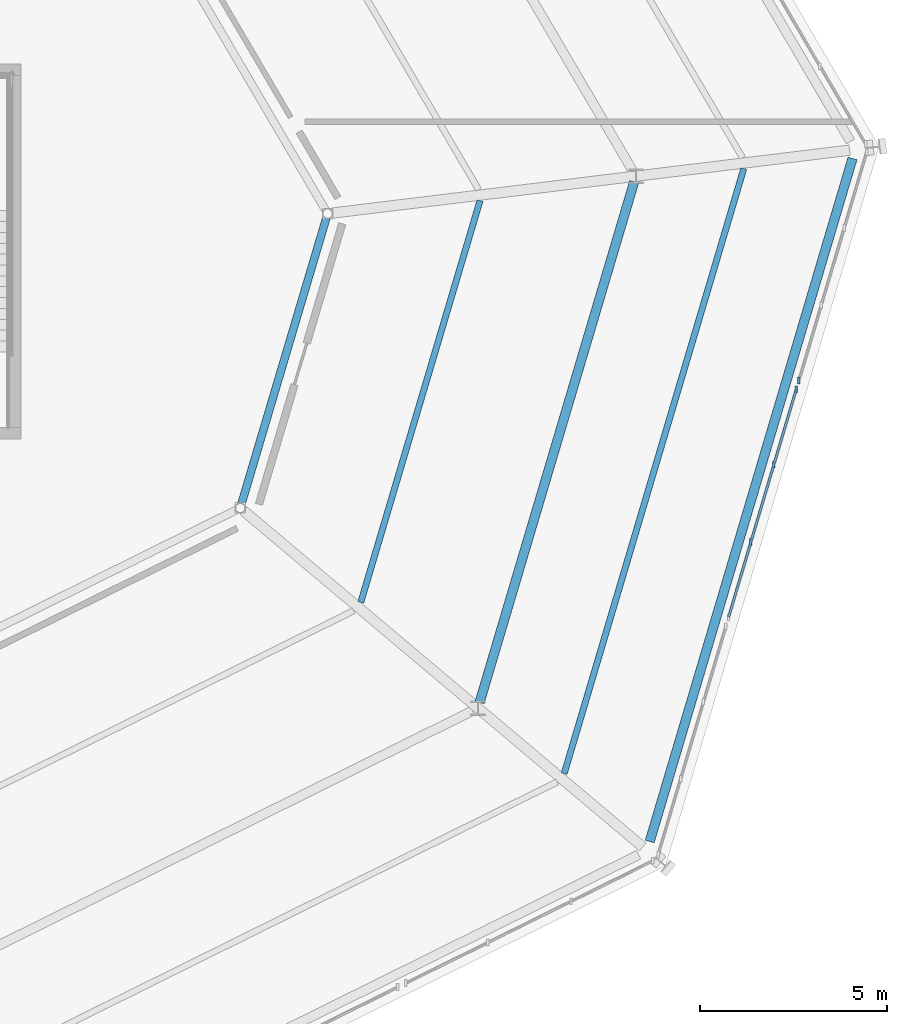
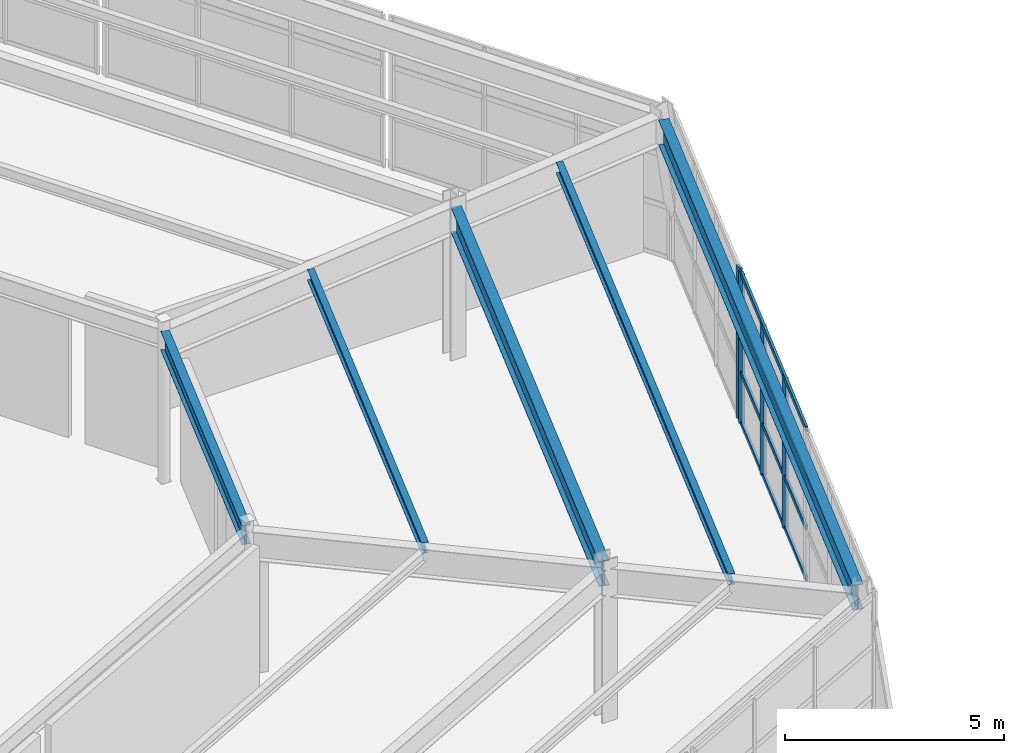
# One storey, part 42 of 77: 8 members, 5 beams, 2 elements without a shape of their own.
"""IFC4 building model written with IfcOpenShell, lengths in metres."""

from ifc_helpers import new_model, si_unit, direction, frame, origin, origin_2d, place, context, subcontext, project, spatial, rectangle, i_section, extrude, material, material_profile, profile_set, type_object, element, aggregate, save


model = new_model("IFC4")

# Units and contexts
model_context = context("Model", 3, precision=1e-05, world=origin(), true_north=direction((0.0, 1.0)))
body_context = subcontext(model_context, "Body", "Model", "MODEL_VIEW")
ifc_project = project(units=[si_unit("LENGTHUNIT", "METRE"), si_unit("AREAUNIT", "SQUARE_METRE"), si_unit("VOLUMEUNIT", "CUBIC_METRE"), si_unit("PLANEANGLEUNIT", "RADIAN"), si_unit("MASSUNIT", "GRAM", prefix="KILO")], contexts=[model_context])

# Site, building, storey
site_placement = place(None, origin())
site = spatial("IfcSite", under=ifc_project, at=site_placement, CompositionType="ELEMENT")
building_placement = place(site_placement, origin())
building = spatial("IfcBuilding", under=site, at=building_placement, Name="Sarnbrook Museum", CompositionType="ELEMENT")
storey_placement = place(building_placement, frame((0.0, 0.0, 5.60009765625)))
storey = spatial("IfcBuildingStorey", under=building, at=storey_placement, Name="L01", CompositionType="ELEMENT", Elevation=5.60009765625)

# Beams
ifc_material_1 = material(Name="Structural Steel Grade 300PLUS (AS/NZS 3679.1, fy = 280 MPa for 17 < t <= 40 mm, 300 MPa for t <= 17 mm)", Category="steel")
ifc_material_profile_1 = material_profile(ifc_material_1, i_section(OverallWidth=0.208984375, OverallDepth=0.532958984375, WebThickness=0.01025390625, FlangeThickness=0.015625, FilletRadius=0.013916015625, at=origin_2d()), Name="530UB92.4")
ifc_profile_set_1 = profile_set([ifc_material_profile_1], Name="Structural Steel Grade 300PLUS (AS/NZS 3679.1, fy = 280 MPa for 17 < t <= 40 mm, 300 MPa for t <= 17 mm)")
beam_type_1 = type_object("IfcBeamType", Name="BM-UB530", PredefinedType="BEAM", material=ifc_profile_set_1)
beam_1_placement = place(storey_placement, frame((152.08447265625, 78.47119140625, 3.973388671875), z_axis=(0.284603578138, 0.958645295879, 0.0), x_axis=(-0.958645295879, 0.284603578138, 0.0)))
element("IfcBeam", 1, at=beam_1_placement, inside=storey, type_object=beam_type_1, Name="Crystal Hall R2 Ring Girder 3 L01", PredefinedType="BEAM", context=body_context, shape_type="SweptSolid", body=[
    extrude(i_section(OverallWidth=0.208984375, OverallDepth=0.532958984375, WebThickness=0.01025390625, FlangeThickness=0.015625, FilletRadius=0.013916015625, at=origin_2d()), origin(), (0.0, 0.0, 1.0), 7.952880859375),
])
ifc_material_2 = material(Name="Structural Steel Grade 350L0 (AS/NZS 3678, fy = 340 MPa for 20 < t <= 40 mm)", Category="steel")
ifc_material_profile_2 = material_profile(ifc_material_2, i_section(OverallWidth=0.25, OverallDepth=0.699951171875, WebThickness=0.010009765625, FlangeThickness=0.01611328125, at=origin_2d()), Name="700WB130")
ifc_profile_set_2 = profile_set([ifc_material_profile_2], Name="Structural Steel Grade 350L0 (AS/NZS 3678, fy = 340 MPa for 20 < t <= 40 mm)")
beam_type_2 = type_object("IfcBeamType", Name="BM-WB700", PredefinedType="BEAM", material=ifc_profile_set_2)
beam_2_placement = place(storey_placement, frame((162.976806640625, 69.4560546875, 3.889892578125), z_axis=(0.284595891355, 0.958647577905, 0.0), x_axis=(-0.958647577905, 0.284595891355, 0.0)))
element("IfcBeam", 2, at=beam_2_placement, inside=storey, type_object=beam_type_2, Name="Crystal Hall Perimeter Ring Girder 3 L01", PredefinedType="BEAM", context=body_context, shape_type="SweptSolid", body=[
    extrude(i_section(OverallWidth=0.25, OverallDepth=0.699951171875, WebThickness=0.010009765625, FlangeThickness=0.01611328125, at=origin_2d()), origin(), (0.0, 0.0, 1.0), 19.012451171875),
])
beam_3_placement = place(storey_placement, frame((158.438232421875, 73.169189453125, 3.889892578125), z_axis=(0.284607000201, 0.958644279927, 0.0), x_axis=(-0.958644279927, 0.284607000201, 0.0)))
element("IfcBeam", 3, at=beam_3_placement, inside=storey, type_object=beam_type_2, Name="Crystal Hall R1 Ring Girder 3 L01", PredefinedType="BEAM", context=body_context, shape_type="SweptSolid", body=[
    extrude(i_section(OverallWidth=0.25, OverallDepth=0.699951171875, WebThickness=0.010009765625, FlangeThickness=0.01611328125, at=origin_2d()), origin(), (0.0, 0.0, 1.0), 14.48681640625),
])

# Curtain wall, members
ifc_material_3 = material(Name="Thermally Broken Anodised Aluminium 6063-T6", Category="aluminium")
curtain_wall_type = type_object("IfcCurtainWallType", Name="CurtainWall_CrystalFacet", PredefinedType="NOTDEFINED", material=ifc_material_3)
curtain_wall_1_placement = place(storey_placement, origin())
curtain_wall_1 = element("IfcCurtainWall", 4, at=curtain_wall_1_placement, inside=storey, type_object=curtain_wall_type, Name="Crystal Hall Facet Curtain Wall L01-F3.2", PredefinedType="NOTDEFINED")
ifc_material_profile_3 = material_profile(ifc_material_3, rectangle(XDim=0.06494140625, YDim=0.179931640625, at=origin_2d()), Name="ALU MULLION 65x180")
ifc_profile_set_3 = profile_set([ifc_material_profile_3], Name="Thermally Broken Anodised Aluminium 6063-T6")
member_type_1 = type_object("IfcMemberType", Name="CW_Mullion_180x75", PredefinedType="MULLION", material=ifc_profile_set_3)
member_1_placement = place(storey_placement, frame((165.67724609375, 77.451416015625, 0.0), z_axis=(0.0, 0.0, 1.0), x_axis=(1.0, 0.0, 0.0)))
member_1 = element("IfcMember", 5, at=member_1_placement, type_object=member_type_1, Name="Crystal Hall Facet Curtain Wall L01-F3.2 Mullion 2", PredefinedType="MULLION", context=body_context, shape_type="SweptSolid", body=[
    extrude(rectangle(XDim=0.06494140625, YDim=0.179931640625, at=origin_2d()), origin(), (0.0, 0.0, 1.0), 4.239990234375),
])
member_2_placement = place(storey_placement, frame((166.287841796875, 79.5078125, 0.0), z_axis=(0.0, 0.0, 1.0), x_axis=(1.0, 0.0, 0.0)))
member_2 = element("IfcMember", 6, at=member_2_placement, type_object=member_type_1, Name="Crystal Hall Facet Curtain Wall L01-F3.2 Mullion 3", PredefinedType="MULLION", context=body_context, shape_type="SweptSolid", body=[
    extrude(rectangle(XDim=0.06494140625, YDim=0.179931640625, at=origin_2d()), origin(), (0.0, 0.0, 1.0), 4.239990234375),
])
member_3_placement = place(storey_placement, frame((166.886962890625, 81.52587890625, 0.0), z_axis=(0.0, 0.0, 1.0), x_axis=(1.0, 0.0, 0.0)))
member_3 = element("IfcMember", 7, at=member_3_placement, type_object=member_type_1, Name="Crystal Hall Facet Curtain Wall L01-F3.2 Mullion 4", PredefinedType="MULLION", context=body_context, shape_type="SweptSolid", body=[
    extrude(rectangle(XDim=0.06494140625, YDim=0.179931640625, at=origin_2d()), origin(), (0.0, 0.0, 1.0), 4.239990234375),
])

# Curtain wall, member
curtain_wall_2_placement = place(storey_placement, origin())
curtain_wall_2 = element("IfcCurtainWall", 8, at=curtain_wall_2_placement, inside=storey, type_object=curtain_wall_type, Name="Crystal Hall Facet Curtain Wall L01-F3.3", PredefinedType="NOTDEFINED")
member_4_placement = place(storey_placement, frame((166.955078125, 81.755859375, 0.0), z_axis=(0.0, 0.0, 1.0), x_axis=(1.0, 0.0, 0.0)))
member_4 = element("IfcMember", 9, at=member_4_placement, type_object=member_type_1, Name="Crystal Hall Facet Curtain Wall L01-F3.3 Mullion 1", PredefinedType="MULLION", context=body_context, shape_type="SweptSolid", body=[
    extrude(rectangle(XDim=0.06494140625, YDim=0.179931640625, at=origin_2d()), origin(), (0.0, 0.0, 1.0), 4.239990234375),
])
aggregate(curtain_wall_2, [member_4])

# Member
ifc_material_profile_4 = material_profile(ifc_material_3, rectangle(XDim=0.06494140625, YDim=0.139892578125, at=origin_2d()), Name="ALU TRANSOM 65x140")
ifc_profile_set_4 = profile_set([ifc_material_profile_4], Name="Thermally Broken Anodised Aluminium 6063-T6")
member_type_2 = type_object("IfcMemberType", Name="CW_Transom_150x65", PredefinedType="USERDEFINED", material=ifc_profile_set_4)
member_5_placement = place(storey_placement, frame((165.0810546875, 75.443115234375, 0.039794921875), z_axis=(0.284596074945, 0.958647523403, 0.0), x_axis=(-0.958647523403, 0.284596074945, 0.0)))
member_5 = element("IfcMember", 10, at=member_5_placement, type_object=member_type_2, Name="Crystal Hall Facet Curtain Wall L01-F3.2 Transom 1", ObjectType="TRANSOM", PredefinedType="USERDEFINED", context=body_context, shape_type="SweptSolid", body=[
    extrude(rectangle(XDim=0.06494140625, YDim=0.139892578125, at=origin_2d()), origin(), (0.0, 0.0, 1.0), 6.335205078125),
])

member_6_placement = place(storey_placement, frame((165.0810546875, 75.443115234375, 1.449951171875), z_axis=(0.284596074945, 0.958647523403, 0.0), x_axis=(-0.958647523403, 0.284596074945, 0.0)))
member_6 = element("IfcMember", 11, at=member_6_placement, type_object=member_type_2, Name="Crystal Hall Facet Curtain Wall L01-F3.2 Transom 2", ObjectType="TRANSOM", PredefinedType="USERDEFINED", context=body_context, shape_type="SweptSolid", body=[
    extrude(rectangle(XDim=0.06494140625, YDim=0.139892578125, at=origin_2d()), origin(), (0.0, 0.0, 1.0), 6.335205078125),
])

member_7_placement = place(storey_placement, frame((165.0810546875, 75.443115234375, 2.849853515625), z_axis=(0.284596074945, 0.958647523403, 0.0), x_axis=(-0.958647523403, 0.284596074945, 0.0)))
member_7 = element("IfcMember", 12, at=member_7_placement, type_object=member_type_2, Name="Crystal Hall Facet Curtain Wall L01-F3.2 Transom 3", ObjectType="TRANSOM", PredefinedType="USERDEFINED", context=body_context, shape_type="SweptSolid", body=[
    extrude(rectangle(XDim=0.06494140625, YDim=0.139892578125, at=origin_2d()), origin(), (0.0, 0.0, 1.0), 6.335205078125),
])

member_8_placement = place(storey_placement, frame((165.0810546875, 75.443115234375, 4.199951171875), z_axis=(0.284596074945, 0.958647523403, 0.0), x_axis=(-0.958647523403, 0.284596074945, 0.0)))
member_8 = element("IfcMember", 13, at=member_8_placement, type_object=member_type_2, Name="Crystal Hall Facet Curtain Wall L01-F3.2 Transom 4", ObjectType="TRANSOM", PredefinedType="USERDEFINED", context=body_context, shape_type="SweptSolid", body=[
    extrude(rectangle(XDim=0.06494140625, YDim=0.139892578125, at=origin_2d()), origin(), (0.0, 0.0, 1.0), 6.335205078125),
])

aggregate(curtain_wall_1, [member_1, member_2, member_3, member_5, member_6, member_7, member_8])

# Beams
ifc_material_profile_5 = material_profile(ifc_material_1, i_section(OverallWidth=0.1650390625, OverallDepth=0.303955078125, WebThickness=0.006103515625, FlangeThickness=0.01025390625, FilletRadius=0.011474609375, at=origin_2d()), Name="310UB40.4")
ifc_profile_set_5 = profile_set([ifc_material_profile_5], Name="Structural Steel Grade 300PLUS (AS/NZS 3679.1, fy = 280 MPa for 17 < t <= 40 mm, 300 MPa for t <= 17 mm)")
beam_type_3 = type_object("IfcBeamType", Name="JS-UB310", PredefinedType="JOIST", material=ifc_profile_set_5)
beam_4_placement = place(storey_placement, frame((160.694580078125, 71.26953125, 4.087890625), z_axis=(0.284608072942, 0.958643961446, 0.0), x_axis=(-0.958643961446, 0.284608072942, 0.0)))
element("IfcBeam", 14, at=beam_4_placement, inside=storey, type_object=beam_type_3, Name="Crystal Hall Tangential Joist MO-3 L01", PredefinedType="JOIST", context=body_context, shape_type="SweptSolid", body=[
    extrude(i_section(OverallWidth=0.1650390625, OverallDepth=0.303955078125, WebThickness=0.006103515625, FlangeThickness=0.01025390625, FilletRadius=0.011474609375, at=origin_2d()), origin(), (0.0, 0.0, 1.0), 16.83984375),
])
beam_5_placement = place(storey_placement, frame((155.26708984375, 75.83935546875, 4.087890625), z_axis=(0.284608009206, 0.958643980368, 0.0), x_axis=(-0.958643980368, 0.284608009206, 0.0)))
element("IfcBeam", 15, at=beam_5_placement, inside=storey, type_object=beam_type_3, Name="Crystal Hall Tangential Joist MI-3 L01", PredefinedType="JOIST", context=body_context, shape_type="SweptSolid", body=[
    extrude(i_section(OverallWidth=0.1650390625, OverallDepth=0.303955078125, WebThickness=0.006103515625, FlangeThickness=0.01025390625, FilletRadius=0.011474609375, at=origin_2d()), origin(), (0.0, 0.0, 1.0), 11.179931640625),
])

save(model, "model.ifc")
